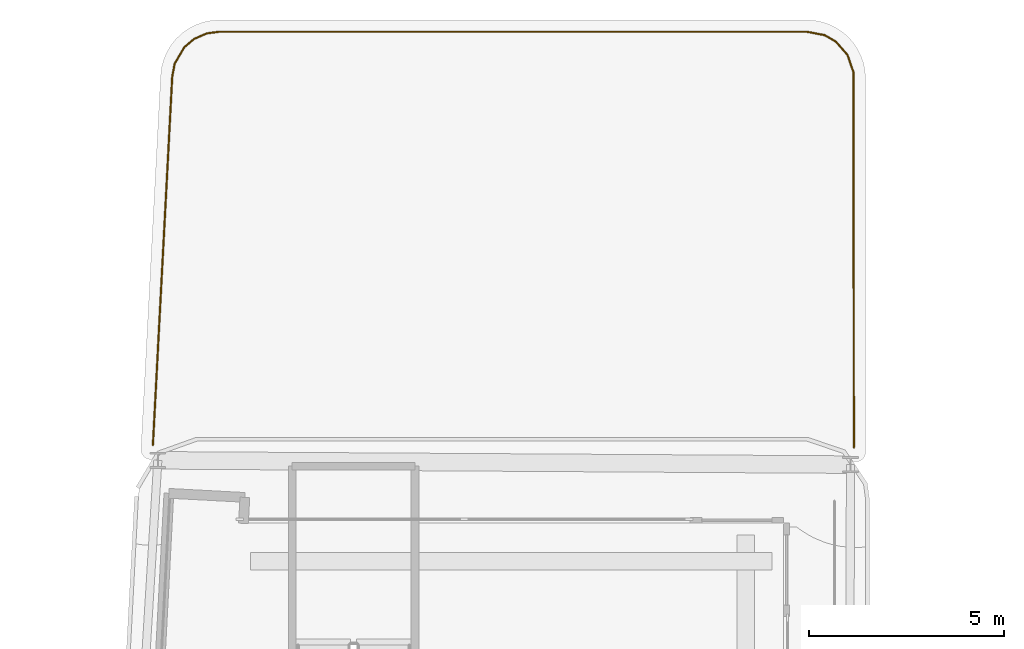
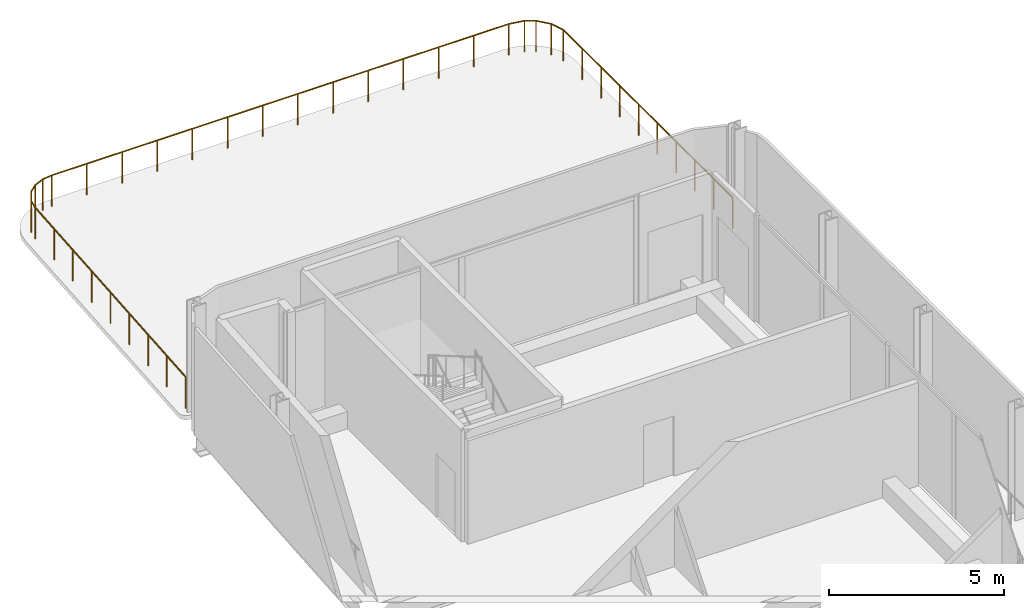
# One storey, part 21 of 22: 1 railing.
"""IFC4 building model written with IfcOpenShell, lengths in metres."""

import ifcopenshell
import ifcopenshell.guid

model = None  # the IFC model being written
_history = None  # IfcOwnerHistory: only IFC2X3 demands one
_inside = {}  # id of a spatial element -> (the spatial element, [elements in it])
_under = {}  # id of a project, library or spatial element -> (it, [spatial elements below it])
_declared = {}  # id of a project -> (the project, [libraries it declares])
_typed = {}  # id of a type object -> (the type object, [elements of that type])
_made_of = {}  # id of a material, layer set ... -> (it, [elements and type objects made of it])


def new_model(schema):
    """Start an empty IFC model of exactly this schema.

    Asked for "IFC4X3", IfcOpenShell would pick the latest addendum, in which some entities
    have other attributes; the version numbers below select the first issue.
    IFC2X3 requires an IfcOwnerHistory on every rooted entity: one is made here for all.
    """
    global model, _history
    if schema == "IFC4X3":
        model = ifcopenshell.file(schema_version=(4, 3, 0, 0))
    else:
        model = ifcopenshell.file(schema=schema)
    _inside.clear()
    _under.clear()
    _declared.clear()
    _typed.clear()
    _made_of.clear()
    _history = None
    if model.schema == "IFC2X3":
        org = make("IfcOrganization", Name="unknown")
        user = make(
            "IfcPersonAndOrganization",
            ThePerson=make("IfcPerson", FamilyName="unknown"),
            TheOrganization=org,
        )
        app = make(
            "IfcApplication",
            ApplicationDeveloper=org,
            Version="unknown",
            ApplicationFullName="unknown",
            ApplicationIdentifier="unknown",
        )
        _history = make(
            "IfcOwnerHistory",
            OwningUser=user,
            OwningApplication=app,
            ChangeAction="ADDED",
            CreationDate=0,
        )
    return model


def make(cls, **values):
    """One entity of the class cls with the attributes given. An attribute that is None is left unset."""
    return model.create_entity(
        cls, **{name: value for name, value in values.items() if value is not None}
    )


def rooted(cls, **values):
    """An entity with a GlobalId (a new one), such as an element, a storey or a relation."""
    return make(cls, GlobalId=ifcopenshell.guid.new(), OwnerHistory=_history, **values)


def si_unit(unit_type, name, prefix=None):
    """IfcSIUnit, for example si_unit("LENGTHUNIT", "METRE", prefix="MILLI")."""
    return make("IfcSIUnit", UnitType=unit_type, Prefix=prefix, Name=name)


def assignment(units):
    """IfcUnitAssignment: the units of a project."""
    return None if units is None else make("IfcUnitAssignment", Units=units)


def point(xyz):
    """IfcCartesianPoint."""
    return None if xyz is None else make("IfcCartesianPoint", Coordinates=xyz)


def direction(xyz):
    """IfcDirection."""
    return None if xyz is None else make("IfcDirection", DirectionRatios=xyz)


def frame(location, z_axis=None, x_axis=None):
    """IfcAxis2Placement3D, a coordinate frame: its origin and axes. An axis left out is left unset."""
    return make(
        "IfcAxis2Placement3D",
        Location=point(location),
        Axis=direction(z_axis),
        RefDirection=direction(x_axis),
    )


def frame_2d(location, x_axis=None):
    """IfcAxis2Placement2D, a coordinate frame in the plane: its origin and x axis."""
    return make(
        "IfcAxis2Placement2D", Location=point(location), RefDirection=direction(x_axis)
    )


def origin():
    """The frame at (0, 0, 0) with its axes left unset."""
    return frame((0.0, 0.0, 0.0))


def origin_2d():
    """The frame at (0, 0) in the plane with its x axis left unset."""
    return frame_2d((0.0, 0.0))


def place(relative_to, where):
    """IfcLocalPlacement: puts the frame where relative to a parent placement (None: the world)."""
    return make(
        "IfcLocalPlacement", PlacementRelTo=relative_to, RelativePlacement=where
    )


def context(
    kind, dimensions, precision=None, world=None, true_north=None, identifier=None
):
    """IfcGeometricRepresentationContext, for example the 3D "Model" context."""
    return make(
        "IfcGeometricRepresentationContext",
        ContextIdentifier=identifier,
        ContextType=kind,
        CoordinateSpaceDimension=dimensions,
        Precision=precision,
        WorldCoordinateSystem=world,
        TrueNorth=true_north,
    )


def subcontext(parent, identifier, kind, view, scale=None):
    """IfcGeometricRepresentationSubContext, for example "Body" below "Model"."""
    return make(
        "IfcGeometricRepresentationSubContext",
        ContextIdentifier=identifier,
        ContextType=kind,
        ParentContext=parent,
        TargetScale=scale,
        TargetView=view,
    )


def project(units=None, contexts=None):
    """IfcProject with its units and contexts."""
    return rooted(
        "IfcProject",
        Name="project",
        RepresentationContexts=contexts,
        UnitsInContext=assignment(units),
    )


def spatial(cls, under=None, at=None, **own):
    """A site, building, storey or space (cls), placed at a placement, below another one or the project."""
    s = rooted(cls, ObjectPlacement=at, **own)
    if under is not None:
        _under.setdefault(under.id(), (under, []))[1].append(s)
    return s


def profile(cls, at=None, kind="AREA", **sizes):
    """A parametric profile (cls). Its sizes go by their IFC names, for example OverallWidth=200.0."""
    return make(cls, ProfileType=kind, Position=at, **sizes)


def circle(**sizes):
    """IfcCircleProfileDef."""
    return profile("IfcCircleProfileDef", **sizes)


def extrude(swept, where, along, depth):
    """IfcExtrudedAreaSolid: the profile swept, set in the frame where, extruded along a direction by depth."""
    return make(
        "IfcExtrudedAreaSolid",
        SweptArea=swept,
        Position=where,
        ExtrudedDirection=direction(along),
        Depth=depth,
    )


def shape(context_of_items, identifier, shape_type, items):
    """IfcShapeRepresentation: the items that make up one representation, for example the "Body"."""
    return make(
        "IfcShapeRepresentation",
        ContextOfItems=context_of_items,
        RepresentationIdentifier=identifier,
        RepresentationType=shape_type,
        Items=items,
    )


def material(Name=None, Category=None):
    """IfcMaterial."""
    return make("IfcMaterial", Name=Name, Category=Category)


def made_of(thing, what):
    """Note that an element or type object is made of a material, layer set ...; save() writes the relation."""
    if what is not None:
        _made_of.setdefault(what.id(), (what, []))[1].append(thing)
    return thing


def type_object(cls, material=None, **own):
    """A type object (cls), such as IfcWallType, which elements share."""
    return made_of(rooted(cls, **own), material)


def element(
    cls,
    number,
    at=None,
    inside=None,
    cuts=None,
    type_object=None,
    material=None,
    context=None,
    identifier="Body",
    shape_type=None,
    held_by="IfcProductDefinitionShape",
    body=None,
    shapes=None,
    **own,
):
    """One element of the class cls, such as IfcWall. Its Tag is "e" and its number.

    at: its placement. inside: the storey or other place that contains it. cuts: it is an
    opening in that element (IfcRelVoidsElement). A single representation is given by context,
    identifier, shape_type and body (its items); several are given by shapes. held_by: the class
    of the entity that holds the representations. save() writes the other relations.
    """
    e = rooted(cls, Tag="e%d" % number, ObjectPlacement=at, **own)
    if body is not None:
        shapes = [shape(context, identifier, shape_type, body)]
    if shapes is not None:
        e.Representation = make(held_by, Representations=shapes)
    if inside is not None:
        _inside.setdefault(inside.id(), (inside, []))[1].append(e)
    if cuts is not None:
        rooted(
            "IfcRelVoidsElement", RelatingBuildingElement=cuts, RelatedOpeningElement=e
        )
    if type_object is not None:
        _typed.setdefault(type_object.id(), (type_object, []))[1].append(e)
    return made_of(e, material)


def aggregate(whole, parts):
    """IfcRelAggregates: a whole, such as a stair, and the parts it consists of."""
    return rooted("IfcRelAggregates", RelatingObject=whole, RelatedObjects=parts)


def save(model, path):
    """Write the relations noted so far, then the file.

    IfcRelAggregates (storeys below a building ...), IfcRelContainedInSpatialStructure (elements
    in a storey), IfcRelDefinesByType, IfcRelAssociatesMaterial and IfcRelDeclares: one each for
    every whole, place, type object, material and project.
    """
    for whole, parts in _under.values():
        aggregate(whole, parts)
    for where, things in _inside.values():
        rooted(
            "IfcRelContainedInSpatialStructure",
            RelatedElements=things,
            RelatingStructure=where,
        )
    for kind, things in _typed.values():
        rooted("IfcRelDefinesByType", RelatedObjects=things, RelatingType=kind)
    for what, things in _made_of.values():
        rooted("IfcRelAssociatesMaterial", RelatedObjects=things, RelatingMaterial=what)
    for by, libraries in _declared.values():
        rooted("IfcRelDeclares", RelatingContext=by, RelatedDefinitions=libraries)
    model.write(path)


model = new_model("IFC4")

# Units and contexts
model_context = context("Model", 3, precision=1e-05, world=origin(), true_north=direction((0.0, 1.0)))
body_context = subcontext(model_context, "Body", "Model", "MODEL_VIEW")
ifc_project = project(units=[si_unit("LENGTHUNIT", "METRE"), si_unit("AREAUNIT", "SQUARE_METRE"), si_unit("VOLUMEUNIT", "CUBIC_METRE"), si_unit("PLANEANGLEUNIT", "RADIAN"), si_unit("MASSUNIT", "GRAM", prefix="KILO")], contexts=[model_context])

# Site, building, storey
site_placement = place(None, origin())
site = spatial("IfcSite", under=ifc_project, at=site_placement, CompositionType="ELEMENT")
building_placement = place(site_placement, origin())
building = spatial("IfcBuilding", under=site, at=building_placement, Name="Kheshtan School and Residences Tower", CompositionType="ELEMENT")
storey_placement = place(building_placement, frame((0.0, 0.0, 216.199951171875)))
storey = spatial("IfcBuildingStorey", under=building, at=storey_placement, Name="L50", CompositionType="ELEMENT", Elevation=216.199951171875)

# Railing
ifc_material = material(Name="Stainless steel balustrade", Category="steel")
railing_type = type_object("IfcRailingType", Name="Loggia guard 1100", PredefinedType="GUARDRAIL", material=ifc_material)
railing_placement = place(storey_placement, frame((29.72705078125, 89.10107421875, 0.0)))
element("IfcRailing", 1, at=railing_placement, inside=storey, type_object=railing_type, Name="Terrace guard L50 1", PredefinedType="GUARDRAIL", context=body_context, shape_type="SweptSolid", body=[
    extrude(circle(Radius=0.02392578125, at=origin_2d()), frame((0.0, 0.0, 1.076171875), z_axis=(0.052432817991, 0.998624453735, 0.0), x_axis=(-0.998624453735, 0.052432817991, 0.0)), (0.0, 0.0, 1.0), 9.456787109375),
    extrude(circle(Radius=0.02392578125, at=origin_2d()), frame((0.495849609375, 9.44384765625, 1.076171875), z_axis=(0.182552493759, 0.98319610812, 0.0), x_axis=(-0.98319610812, 0.182552493759, 0.0)), (0.0, 0.0, 1.0), 0.339599609375),
    extrude(circle(Radius=0.02392578125, at=origin_2d()), frame((0.557861328125, 9.77783203125, 1.076171875), z_axis=(0.505503265618, 0.862824691609, 0.0), x_axis=(-0.862824691609, 0.505503265618, 0.0)), (0.0, 0.0, 1.0), 0.49267578125),
    extrude(circle(Radius=0.02392578125, at=origin_2d()), frame((0.806884765625, 10.202880859375, 1.076171875), z_axis=(0.765528795951, 0.643401633951, 0.0), x_axis=(-0.643401633951, 0.765528795951, 0.0)), (0.0, 0.0, 1.0), 0.327880859375),
    extrude(circle(Radius=0.02392578125, at=origin_2d()), frame((1.057861328125, 10.413818359375, 1.076171875), z_axis=(0.915918115039, 0.401365178539, 0.0), x_axis=(-0.401365178539, 0.915918115039, 0.0)), (0.0, 0.0, 1.0), 0.3515625),
    extrude(circle(Radius=0.02392578125, at=origin_2d()), frame((1.3798828125, 10.554931640625, 1.076171875), z_axis=(0.991045565988, 0.133524103202, 0.0), x_axis=(-0.133524103202, 0.991045565988, 0.0)), (0.0, 0.0, 1.0), 0.3291015625),
    extrude(circle(Radius=0.02392578125, at=origin_2d()), frame((1.7060546875, 10.598876953125, 1.076171875), z_axis=(1.0, 0.0, 0.0), x_axis=(0.0, 1.0, 0.0)), (0.0, 0.0, 1.0), 15.055908203125),
    extrude(circle(Radius=0.02392578125, at=origin_2d()), frame((16.761962890625, 10.598876953125, 1.076171875), z_axis=(0.982065510661, -0.188540003102, 0.0), x_axis=(0.188540003102, 0.982065510661, 0.0)), (0.0, 0.0, 1.0), 0.471435546875),
    extrude(circle(Radius=0.02392578125, at=origin_2d()), frame((17.224853515625, 10.510009765625, 1.076171875), z_axis=(0.866036909293, -0.499980071345, 0.0), x_axis=(0.499980071345, 0.866036909293, 0.0)), (0.0, 0.0, 1.0), 0.328125),
    extrude(circle(Radius=0.02392578125, at=origin_2d()), frame((17.509033203125, 10.345947265625, 1.076171875), z_axis=(0.658999982497, -0.752142953879, 0.0), x_axis=(0.752142953879, 0.658999982497, 0.0)), (0.0, 0.0, 1.0), 0.453369140625),
    extrude(circle(Radius=0.02392578125, at=origin_2d()), frame((17.807861328125, 10.0048828125, 1.076171875), z_axis=(0.327325720244, -0.944911568808, 0.0), x_axis=(0.944911568808, 0.327325720244, 0.0)), (0.0, 0.0, 1.0), 0.4677734375),
    extrude(circle(Radius=0.02392578125, at=origin_2d()), frame((17.9609375, 9.56298828125, 1.076171875), z_axis=(0.001242644608, -0.999999227917, 0.0), x_axis=(0.999999227917, 0.001242644608, 0.0)), (0.0, 0.0, 1.0), 9.626953125),
    extrude(circle(Radius=0.02099609375, at=origin_2d()), origin(), (0.0, 0.0, 1.0), 1.052001953125),
    extrude(circle(Radius=0.02099609375, at=origin_2d()), frame((0.06201171875, 1.180419921875, 0.0)), (0.0, 0.0, 1.0), 1.052001953125),
    extrude(circle(Radius=0.02099609375, at=origin_2d()), frame((0.1240234375, 2.36083984375, 0.0)), (0.0, 0.0, 1.0), 1.052001953125),
    extrude(circle(Radius=0.02099609375, at=origin_2d()), frame((0.18603515625, 3.54150390625, 0.0)), (0.0, 0.0, 1.0), 1.052001953125),
    extrude(circle(Radius=0.02099609375, at=origin_2d()), frame((0.248046875, 4.721923828125, 0.0)), (0.0, 0.0, 1.0), 1.052001953125),
    extrude(circle(Radius=0.02099609375, at=origin_2d()), frame((0.309814453125, 5.90234375, 0.0)), (0.0, 0.0, 1.0), 1.052001953125),
    extrude(circle(Radius=0.02099609375, at=origin_2d()), frame((0.371826171875, 7.0830078125, 0.0)), (0.0, 0.0, 1.0), 1.052001953125),
    extrude(circle(Radius=0.02099609375, at=origin_2d()), frame((0.433837890625, 8.263427734375, 0.0)), (0.0, 0.0, 1.0), 1.052001953125),
    extrude(circle(Radius=0.02099609375, at=origin_2d()), frame((0.495849609375, 9.44384765625, 0.0)), (0.0, 0.0, 1.0), 1.052001953125),
    extrude(circle(Radius=0.02099609375, at=origin_2d()), frame((0.557861328125, 9.77783203125, 0.0)), (0.0, 0.0, 1.0), 1.052001953125),
    extrude(circle(Radius=0.02099609375, at=origin_2d()), frame((0.806884765625, 10.202880859375, 0.0)), (0.0, 0.0, 1.0), 1.052001953125),
    extrude(circle(Radius=0.02099609375, at=origin_2d()), frame((1.057861328125, 10.413818359375, 0.0)), (0.0, 0.0, 1.0), 1.052001953125),
    extrude(circle(Radius=0.02099609375, at=origin_2d()), frame((1.3798828125, 10.554931640625, 0.0)), (0.0, 0.0, 1.0), 1.052001953125),
    extrude(circle(Radius=0.02099609375, at=origin_2d()), frame((1.7060546875, 10.598876953125, 0.0)), (0.0, 0.0, 1.0), 1.052001953125),
    extrude(circle(Radius=0.02099609375, at=origin_2d()), frame((2.8642578125, 10.598876953125, 0.0)), (0.0, 0.0, 1.0), 1.052001953125),
    extrude(circle(Radius=0.02099609375, at=origin_2d()), frame((4.0224609375, 10.598876953125, 0.0)), (0.0, 0.0, 1.0), 1.052001953125),
    extrude(circle(Radius=0.02099609375, at=origin_2d()), frame((5.180419921875, 10.598876953125, 0.0)), (0.0, 0.0, 1.0), 1.052001953125),
    extrude(circle(Radius=0.02099609375, at=origin_2d()), frame((6.338623046875, 10.598876953125, 0.0)), (0.0, 0.0, 1.0), 1.052001953125),
    extrude(circle(Radius=0.02099609375, at=origin_2d()), frame((7.496826171875, 10.598876953125, 0.0)), (0.0, 0.0, 1.0), 1.052001953125),
    extrude(circle(Radius=0.02099609375, at=origin_2d()), frame((8.655029296875, 10.598876953125, 0.0)), (0.0, 0.0, 1.0), 1.052001953125),
    extrude(circle(Radius=0.02099609375, at=origin_2d()), frame((9.81298828125, 10.598876953125, 0.0)), (0.0, 0.0, 1.0), 1.052001953125),
    extrude(circle(Radius=0.02099609375, at=origin_2d()), frame((10.97119140625, 10.598876953125, 0.0)), (0.0, 0.0, 1.0), 1.052001953125),
    extrude(circle(Radius=0.02099609375, at=origin_2d()), frame((12.12939453125, 10.598876953125, 0.0)), (0.0, 0.0, 1.0), 1.052001953125),
    extrude(circle(Radius=0.02099609375, at=origin_2d()), frame((13.28759765625, 10.598876953125, 0.0)), (0.0, 0.0, 1.0), 1.052001953125),
    extrude(circle(Radius=0.02099609375, at=origin_2d()), frame((14.445556640625, 10.598876953125, 0.0)), (0.0, 0.0, 1.0), 1.052001953125),
    extrude(circle(Radius=0.02099609375, at=origin_2d()), frame((15.603759765625, 10.598876953125, 0.0)), (0.0, 0.0, 1.0), 1.052001953125),
    extrude(circle(Radius=0.02099609375, at=origin_2d()), frame((16.761962890625, 10.598876953125, 0.0)), (0.0, 0.0, 1.0), 1.052001953125),
    extrude(circle(Radius=0.02099609375, at=origin_2d()), frame((17.224853515625, 10.510009765625, 0.0)), (0.0, 0.0, 1.0), 1.052001953125),
    extrude(circle(Radius=0.02099609375, at=origin_2d()), frame((17.509033203125, 10.345947265625, 0.0)), (0.0, 0.0, 1.0), 1.052001953125),
    extrude(circle(Radius=0.02099609375, at=origin_2d()), frame((17.807861328125, 10.0048828125, 0.0)), (0.0, 0.0, 1.0), 1.052001953125),
    extrude(circle(Radius=0.02099609375, at=origin_2d()), frame((17.9609375, 9.56298828125, 0.0)), (0.0, 0.0, 1.0), 1.052001953125),
    extrude(circle(Radius=0.02099609375, at=origin_2d()), frame((17.962158203125, 8.493408203125, 0.0)), (0.0, 0.0, 1.0), 1.052001953125),
    extrude(circle(Radius=0.02099609375, at=origin_2d()), frame((17.963623046875, 7.423583984375, 0.0)), (0.0, 0.0, 1.0), 1.052001953125),
    extrude(circle(Radius=0.02099609375, at=origin_2d()), frame((17.96484375, 6.35400390625, 0.0)), (0.0, 0.0, 1.0), 1.052001953125),
    extrude(circle(Radius=0.02099609375, at=origin_2d()), frame((17.96630859375, 5.284423828125, 0.0)), (0.0, 0.0, 1.0), 1.052001953125),
    extrude(circle(Radius=0.02099609375, at=origin_2d()), frame((17.967529296875, 4.214599609375, 0.0)), (0.0, 0.0, 1.0), 1.052001953125),
    extrude(circle(Radius=0.02099609375, at=origin_2d()), frame((17.968994140625, 3.14501953125, 0.0)), (0.0, 0.0, 1.0), 1.052001953125),
    extrude(circle(Radius=0.02099609375, at=origin_2d()), frame((17.97021484375, 2.075439453125, 0.0)), (0.0, 0.0, 1.0), 1.052001953125),
    extrude(circle(Radius=0.02099609375, at=origin_2d()), frame((17.9716796875, 1.005615234375, 0.0)), (0.0, 0.0, 1.0), 1.052001953125),
    extrude(circle(Radius=0.02099609375, at=origin_2d()), frame((17.972900390625, -0.06396484375, 0.0)), (0.0, 0.0, 1.0), 1.052001953125),
])

save(model, "model.ifc")
